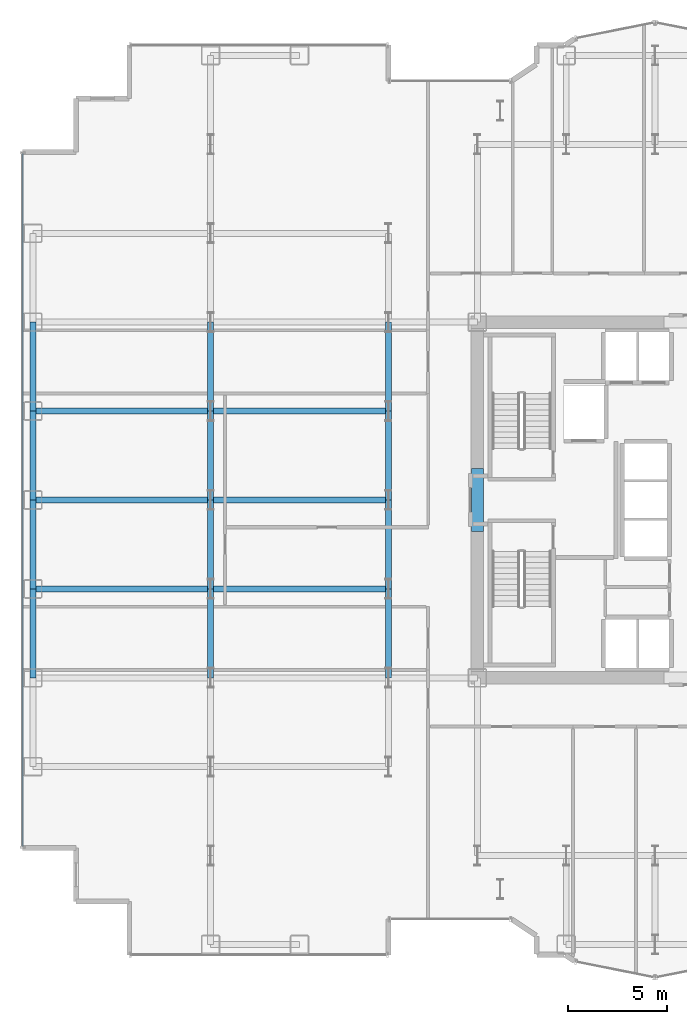
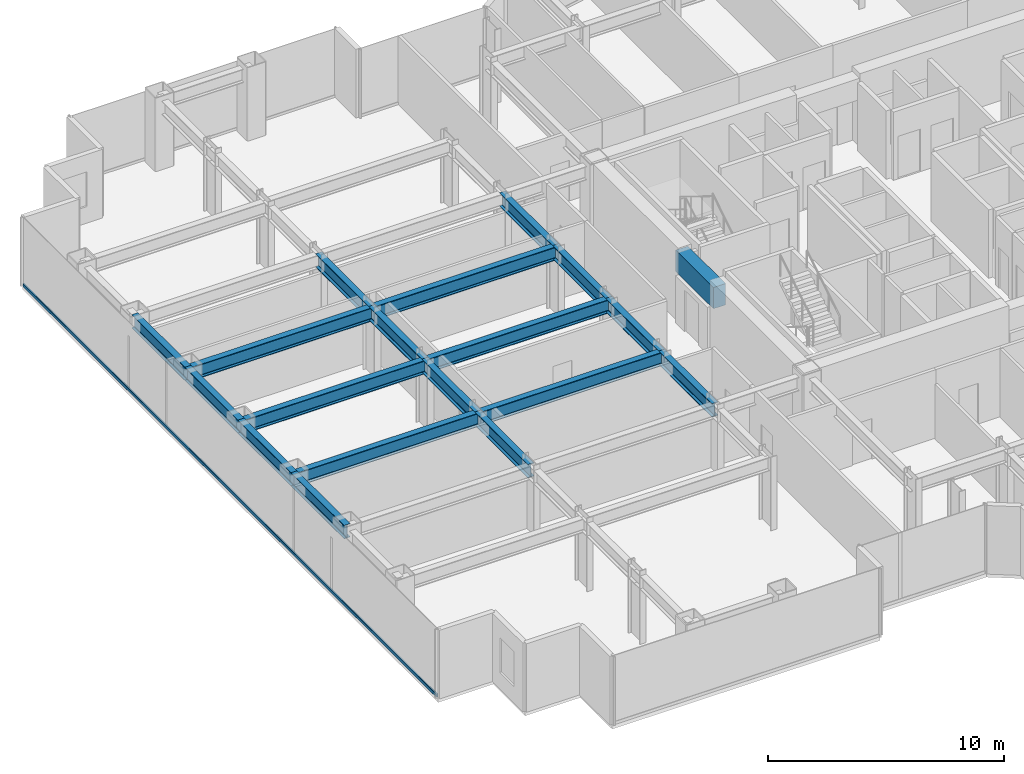
# One storey, part 5 of 25: 19 beams, 1 member, 1 element without a shape of its own.
"""IFC4 building model written with IfcOpenShell, lengths in metres."""

from ifc_helpers import new_model, si_unit, direction, frame, origin, origin_2d, place, context, subcontext, project, spatial, rectangle, hollow_rectangle, i_section, extrude, source, transform, mapped, material, layer, layer_set, material_profile, profile_set, type_object, element, aggregate, save


model = new_model("IFC4")

# Units and contexts
model_context = context("Model", 3, precision=1e-05, world=origin(), true_north=direction((0.0, 1.0)))
body_context = subcontext(model_context, "Body", "Model", "MODEL_VIEW")
ifc_project = project(units=[si_unit("LENGTHUNIT", "METRE"), si_unit("AREAUNIT", "SQUARE_METRE"), si_unit("VOLUMEUNIT", "CUBIC_METRE"), si_unit("PLANEANGLEUNIT", "RADIAN"), si_unit("MASSUNIT", "GRAM", prefix="KILO")], contexts=[model_context])

# Site, building, storey
site_placement = place(None, origin())
site = spatial("IfcSite", under=ifc_project, at=site_placement, CompositionType="ELEMENT")
building_placement = place(site_placement, origin())
building = spatial("IfcBuilding", under=site, at=building_placement, Name="Nefas-Gora Pilgrimage Tower", CompositionType="ELEMENT")
storey_placement = place(building_placement, frame((0.0, 0.0, 74.800048828125)))
storey = spatial("IfcBuildingStorey", under=building, at=storey_placement, Name="L17", CompositionType="ELEMENT", Elevation=74.800048828125)

# Beams
ifc_material_1 = material(Name="Concrete C60/75", Category="concrete")
ifc_material_profile_1 = material_profile(ifc_material_1, rectangle(XDim=0.60009765625, YDim=1.10009765625, at=origin_2d()), Name="RC 600x1100")
ifc_profile_set_1 = profile_set([ifc_material_profile_1], Name="Concrete C60/75")
beam_type_1 = type_object("IfcBeamType", Name="BM-LIN-RC1100", PredefinedType="LINTEL", material=ifc_profile_set_1)
shared_shape_1 = source(origin(), body_context, "Body", "SweptSolid", [
    extrude(rectangle(XDim=0.60009765625, YDim=1.10009765625, at=origin_2d()), origin(), (0.0, 0.0, 1.0), 3.2001953125),
])
beam_placement = place(storey_placement, frame((-11.25, -1.60009765625, 3.0), z_axis=(0.0, 1.0, 0.0), x_axis=(-1.0, 0.0, 0.0)))
element("IfcBeam", 1, at=beam_placement, inside=storey, type_object=beam_type_1, Name="L17 Core Coupling Lintel Beam W", PredefinedType="LINTEL", context=body_context, shape_type="MappedRepresentation", body=[
    mapped(shared_shape_1, transform((0.0, 0.0, 0.0), x_axis=(1.0, 0.0, 0.0), y_axis=(0.0, 1.0, 0.0), z_axis=(0.0, 0.0, 1.0), scale=1.0)),
])
ifc_material_2 = material(Name="Steel S355", Category="steel")
ifc_material_profile_2 = material_profile(ifc_material_2, i_section(OverallWidth=0.300048828125, OverallDepth=0.699951171875, WebThickness=0.01708984375, FlangeThickness=0.031982421875, FilletRadius=0.027099609375, at=origin_2d()), Name="HEB 700")
ifc_profile_set_2 = profile_set([ifc_material_profile_2], Name="Steel S355")
beam_type_2 = type_object("IfcBeamType", Name="BM-SPN-HEB600", PredefinedType="SPANDREL", material=ifc_profile_set_2)
shared_shape_2 = source(origin(), body_context, "Body", "SweptSolid", [
    extrude(i_section(OverallWidth=0.300048828125, OverallDepth=0.699951171875, WebThickness=0.01708984375, FlangeThickness=0.031982421875, FilletRadius=0.027099609375, at=origin_2d()), origin(), (0.0, 0.0, 1.0), 4.5),
])
for number, where, z_axis, x_axis, name in (
    (2, (-33.75, -9.0, 3.199951171875), (0.0, 1.0, 0.0), (-1.0, 0.0, 0.0), "L17 SP-01 beam"),
    (3, (-33.75, -4.5, 3.199951171875), (0.0, 1.0, 0.0), (-1.0, 0.0, 0.0), "L17 SP-01 beam"),
    (4, (-33.75, 0.0, 3.199951171875), (0.0, 1.0, 0.0), (-1.0, 0.0, 0.0), "L17 SP-01 beam"),
    (5, (-33.75, 4.5, 3.199951171875), (0.0, 1.0, 0.0), (-1.0, 0.0, 0.0), "L17 SP-01 beam"),
):
    element("IfcBeam", number, at=place(storey_placement, frame(where, z_axis=z_axis, x_axis=x_axis)), inside=storey, type_object=beam_type_2, Name=name, PredefinedType="SPANDREL", context=body_context, shape_type="MappedRepresentation", body=[
        mapped(shared_shape_2, transform((0.0, 0.0, 0.0), x_axis=(1.0, 0.0, 0.0), y_axis=(0.0, 1.0, 0.0), z_axis=(0.0, 0.0, 1.0), scale=1.0)),
    ])
ifc_material_profile_3 = material_profile(ifc_material_2, i_section(OverallWidth=0.300048828125, OverallDepth=0.699951171875, WebThickness=0.01708984375, FlangeThickness=0.031982421875, FilletRadius=0.027099609375, at=origin_2d()), Name="HEB 700")
ifc_profile_set_3 = profile_set([ifc_material_profile_3], Name="Steel S355")
beam_type_3 = type_object("IfcBeamType", Name="BM-GIR-HEB700", PredefinedType="BEAM", material=ifc_profile_set_3)
shared_shape_3 = source(origin(), body_context, "Body", "SweptSolid", [
    extrude(i_section(OverallWidth=0.300048828125, OverallDepth=0.699951171875, WebThickness=0.01708984375, FlangeThickness=0.031982421875, FilletRadius=0.027099609375, at=origin_2d()), origin(), (0.0, 0.0, 1.0), 9.0),
])
for number, where, z_axis, x_axis, name in (
    (6, (-33.75, -4.5, 3.199951171875), (1.0, 0.0, 0.0), (0.0, 1.0, 0.0), "L17 G-02 beam"),
    (7, (-33.75, 0.0, 3.199951171875), (1.0, 0.0, 0.0), (0.0, 1.0, 0.0), "L17 G-02 beam"),
    (8, (-33.75, 4.5, 3.199951171875), (1.0, 0.0, 0.0), (0.0, 1.0, 0.0), "L17 G-02 beam"),
    (9, (-24.75, -4.5, 3.199951171875), (1.0, 0.0, 0.0), (0.0, 1.0, 0.0), "L17 G-02 beam"),
    (10, (-24.75, 0.0, 3.199951171875), (1.0, 0.0, 0.0), (0.0, 1.0, 0.0), "L17 G-02 beam"),
    (11, (-24.75, 4.5, 3.199951171875), (1.0, 0.0, 0.0), (0.0, 1.0, 0.0), "L17 G-02 beam"),
):
    element("IfcBeam", number, at=place(storey_placement, frame(where, z_axis=z_axis, x_axis=x_axis)), inside=storey, type_object=beam_type_3, Name=name, PredefinedType="BEAM", context=body_context, shape_type="MappedRepresentation", body=[
        mapped(shared_shape_3, transform((0.0, 0.0, 0.0), x_axis=(1.0, 0.0, 0.0), y_axis=(0.0, 1.0, 0.0), z_axis=(0.0, 0.0, 1.0), scale=1.0)),
    ])
shared_shape_4 = source(origin(), body_context, "Body", "SweptSolid", [
    extrude(i_section(OverallWidth=0.300048828125, OverallDepth=0.699951171875, WebThickness=0.01708984375, FlangeThickness=0.031982421875, FilletRadius=0.027099609375, at=origin_2d()), origin(), (0.0, 0.0, 1.0), 4.5),
])
for number, where, z_axis, x_axis, name in (
    (12, (-24.75, -9.0, 3.199951171875), (0.0, 1.0, 0.0), (-1.0, 0.0, 0.0), "L17 G-02 beam"),
    (13, (-24.75, -4.5, 3.199951171875), (0.0, 1.0, 0.0), (-1.0, 0.0, 0.0), "L17 G-02 beam"),
    (14, (-24.75, 0.0, 3.199951171875), (0.0, 1.0, 0.0), (-1.0, 0.0, 0.0), "L17 G-02 beam"),
    (15, (-24.75, 4.5, 3.199951171875), (0.0, 1.0, 0.0), (-1.0, 0.0, 0.0), "L17 G-02 beam"),
    (16, (-15.75, -9.0, 3.199951171875), (0.0, 1.0, 0.0), (-1.0, 0.0, 0.0), "L17 G-02 beam"),
    (17, (-15.75, -4.5, 3.199951171875), (0.0, 1.0, 0.0), (-1.0, 0.0, 0.0), "L17 G-02 beam"),
    (18, (-15.75, 0.0, 3.199951171875), (0.0, 1.0, 0.0), (-1.0, 0.0, 0.0), "L17 G-02 beam"),
    (19, (-15.75, 4.5, 3.199951171875), (0.0, 1.0, 0.0), (-1.0, 0.0, 0.0), "L17 G-02 beam"),
):
    element("IfcBeam", number, at=place(storey_placement, frame(where, z_axis=z_axis, x_axis=x_axis)), inside=storey, type_object=beam_type_3, Name=name, PredefinedType="BEAM", context=body_context, shape_type="MappedRepresentation", body=[
        mapped(shared_shape_4, transform((0.0, 0.0, 0.0), x_axis=(1.0, 0.0, 0.0), y_axis=(0.0, 1.0, 0.0), z_axis=(0.0, 0.0, 1.0), scale=1.0)),
    ])

# Curtain wall, member
ifc_material_3 = material(Name="Dark ceramic-fritted solar-control aluminium-glass curtain wall", Category="aluminium")
ifc_layer = layer(ifc_material_3, 0.219970703125)
ifc_layer_set = layer_set([ifc_layer], Name="Dark ceramic-fritted solar-control aluminium-glass curtain wall")
curtain_wall_type = type_object("IfcCurtainWallType", Name="CW-SYS-2", PredefinedType="NOTDEFINED", material=ifc_layer_set)
curtain_wall_placement = place(storey_placement, origin())
curtain_wall = element("IfcCurtainWall", 20, at=curtain_wall_placement, inside=storey, type_object=curtain_wall_type, Name="L17 Unitised Curtain Wall CW2", PredefinedType="NOTDEFINED")
ifc_material_4 = material(Name="Anodised architectural aluminium", Category="aluminium")
ifc_material_profile_4 = material_profile(ifc_material_4, hollow_rectangle(XDim=0.080078125, YDim=0.159912109375, WallThickness=0.00439453125, InnerFilletRadius=0.00439453125, OuterFilletRadius=0.009033203125, at=origin_2d()), Name="ALU TRANSOM 80x160")
ifc_profile_set_4 = profile_set([ifc_material_profile_4], Name="Anodised architectural aluminium")
member_type = type_object("IfcMemberType", Name="CWM-TRN-2", PredefinedType="USERDEFINED", material=ifc_profile_set_4)
shared_shape_5 = source(origin(), body_context, "Body", "SweptSolid", [
    extrude(hollow_rectangle(XDim=0.080078125, YDim=0.159912109375, WallThickness=0.00439453125, InnerFilletRadius=0.00439453125, OuterFilletRadius=0.009033203125, at=origin_2d()), origin(), (0.0, 0.0, 1.0), 35.06005859375),
])
member_placement = place(storey_placement, frame((-34.27001953125, 17.530029296875, 0.050048828125), z_axis=(0.0, -1.0, 0.0), x_axis=(1.0, 0.0, 0.0)))
member = element("IfcMember", 21, at=member_placement, type_object=member_type, Name="CW2 Spandrel Transom", ObjectType="TRANSOM", PredefinedType="USERDEFINED", context=body_context, shape_type="MappedRepresentation", body=[
    mapped(shared_shape_5, transform((0.0, 0.0, 0.0), x_axis=(1.0, 0.0, 0.0), y_axis=(0.0, 1.0, 0.0), z_axis=(0.0, 0.0, 1.0), scale=1.0)),
])
aggregate(curtain_wall, [member])

save(model, "model.ifc")
